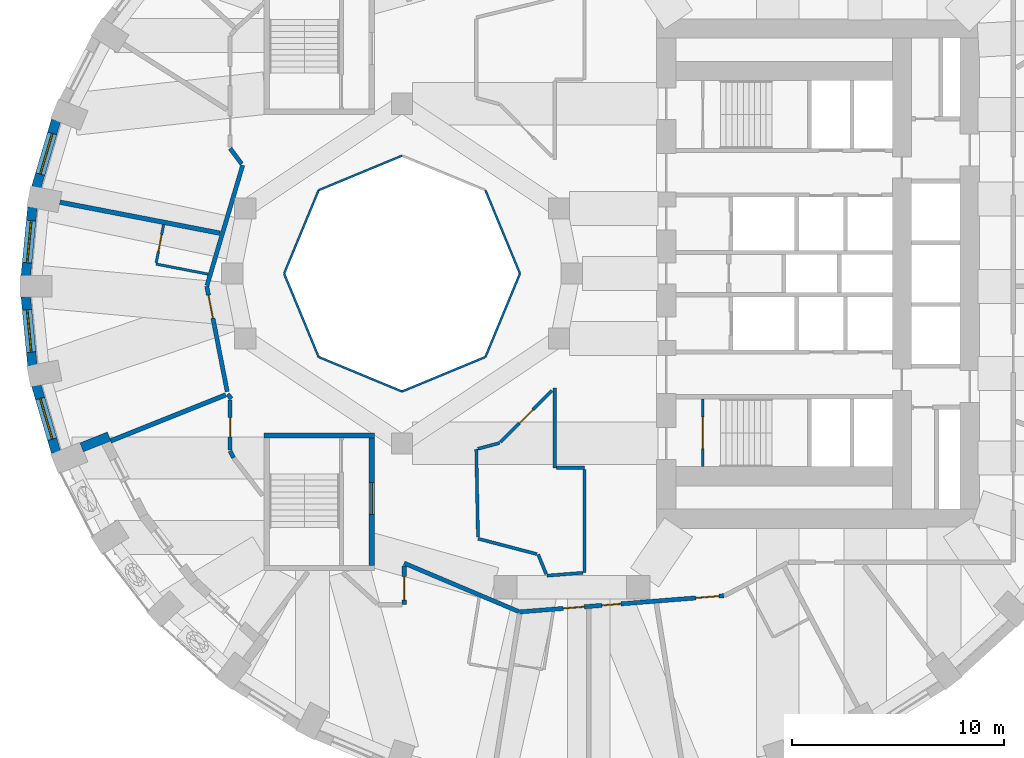
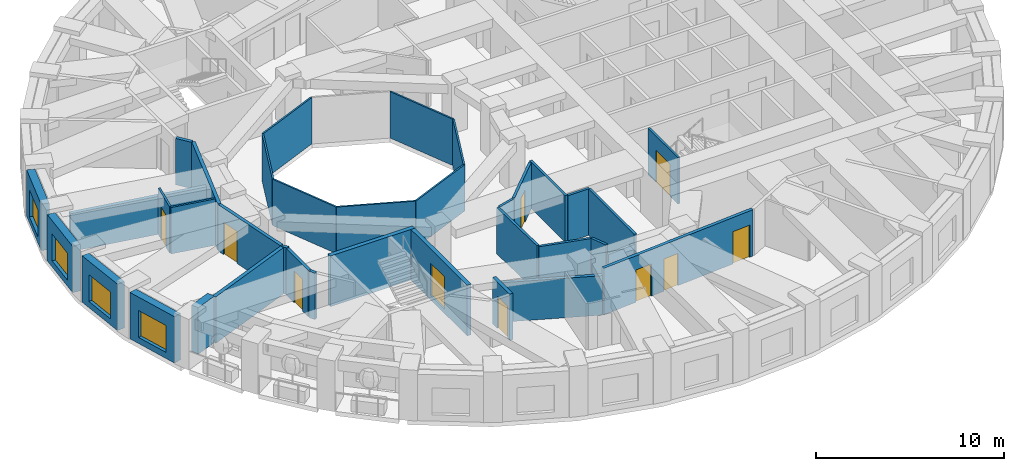
# One storey, part 4 of 12: 37 walls, 10 doors, 4 windows, 14 openings.
"""IFC4 building model written with IfcOpenShell, lengths in metres."""

from ifc_helpers import new_model, si_unit, direction, frame, frame_2d, origin, place, context, subcontext, project, spatial, rectangle, extrude, material, layer, layer_set, type_object, element, fill, save


model = new_model("IFC4")

# Units and contexts
model_context = context("Model", 3, precision=1e-05, world=origin(), true_north=direction((0.0, 1.0)))
body_context = subcontext(model_context, "Body", "Model", "MODEL_VIEW")
ifc_project = project(units=[si_unit("LENGTHUNIT", "METRE"), si_unit("AREAUNIT", "SQUARE_METRE"), si_unit("VOLUMEUNIT", "CUBIC_METRE"), si_unit("PLANEANGLEUNIT", "RADIAN"), si_unit("MASSUNIT", "GRAM", prefix="KILO")], contexts=[model_context])

# Site, building, storey
site_placement = place(None, origin())
site = spatial("IfcSite", under=ifc_project, at=site_placement, CompositionType="ELEMENT")
building_placement = place(site_placement, origin())
building = spatial("IfcBuilding", under=site, at=building_placement, Name="Taillehof Tower", CompositionType="ELEMENT")
storey_placement = place(building_placement, frame((0.0, 0.0, 95.5)))
storey = spatial("IfcBuildingStorey", under=building, at=storey_placement, Name="L26", CompositionType="ELEMENT", Elevation=95.5)

# Walls
ifc_material_1 = material(Name="Fire-resisting glass in steel frame", Category="steel")
ifc_layer_1 = layer(ifc_material_1, 0.10009765625)
ifc_layer_set_1 = layer_set([ifc_layer_1], Name="Atrium fire-resisting screen EI 60 100")
wall_type_1 = type_object("IfcWallType", Name="Atrium fire-resisting screen EI 60 100", PredefinedType="PARTITIONING", material=ifc_layer_set_1)
for number, where, z_axis, x_axis, name in (
    (1, (-2.44580078125, 0.0, 0.0), (0.0, 0.0, 1.0), (-0.382730523909, -0.923860025149, 0.0), "Atrium screen"),
    (2, (-4.07275390625, -3.92724609375, 0.0), (0.0, 0.0, 1.0), (-0.923860025149, -0.382730523909, 0.0), "Atrium screen"),
    (3, (-8.0, -5.55419921875, 0.0), (0.0, 0.0, 1.0), (-0.923860025149, 0.382730523909, 0.0), "Atrium screen"),
    (4, (-11.92724609375, -3.92724609375, 0.0), (0.0, 0.0, 1.0), (-0.382730523909, 0.923860025149, 0.0), "Atrium screen"),
    (5, (-13.55419921875, 0.0, 0.0), (0.0, 0.0, 1.0), (0.382730523909, 0.923860025149, 0.0), "Atrium screen"),
    (6, (-11.92724609375, 3.92724609375, 0.0), (0.0, 0.0, 1.0), (0.923860025149, 0.382730523909, 0.0), "Atrium screen"),
    (7, (-4.07275390625, 3.92724609375, 0.0), (0.0, 0.0, 1.0), (0.382730523909, -0.923860025149, 0.0), "Atrium screen"),
):
    element("IfcWall", number, at=place(storey_placement, frame(where, z_axis=z_axis, x_axis=x_axis)), inside=storey, type_object=wall_type_1, Name=name, PredefinedType="PARTITIONING", context=body_context, shape_type="SweptSolid", body=[
        extrude(rectangle(XDim=4.2509765625, YDim=0.10009765625, at=frame_2d((2.12548828125, 0.0))), origin(), (0.0, 0.0, 1.0), 3.02001953125),
    ])

# Wall, opening, window
ifc_material_2 = material(Name="Brick masonry", Category="masonry")
ifc_layer_2 = layer(ifc_material_2, 0.449951171875)
ifc_layer_set_2 = layer_set([ifc_layer_2], Name="Brick infill wall 450")
wall_type_2 = type_object("IfcWallType", Name="Brick infill wall 450", PredefinedType="SOLIDWALL", material=ifc_layer_set_2)
wall_1_placement = place(storey_placement, frame((-24.302001953125, 7.220703125, 0.0), z_axis=(0.0, 0.0, 1.0), x_axis=(-0.283071248438, -0.959098883488, 0.0)))
wall_1 = element("IfcWall", 8, at=wall_1_placement, inside=storey, type_object=wall_type_2, Name="Brick wall L26 bay 17", PredefinedType="SOLIDWALL", context=body_context, shape_type="SweptSolid", body=[
    extrude(rectangle(XDim=3.2861328125, YDim=0.449951171875, at=frame_2d((1.64306640625, 0.0))), origin(), (0.0, 0.0, 1.0), 3.02001953125),
])
opening_1_placement = place(wall_1_placement, frame((0.64306640625, 0.0, 0.39990234375)))
opening_1 = element("IfcOpeningElement", 9, at=opening_1_placement, cuts=wall_1, Name="Opening W2", PredefinedType="OPENING", context=body_context, shape_type="SweptSolid", body=[
    extrude(rectangle(XDim=2.0, YDim=1.75, at=frame_2d((1.0, 0.875))), frame((0.0, 0.23486328125, 0.0), z_axis=(0.0, -1.0, 0.0), x_axis=(1.0, 0.0, 0.0)), (0.0, 0.0, 1.0), 0.469970703125),
])
ifc_material_3 = material(Name="Aluminium window frame with clear double glazing", Category="aluminium")
window_type = type_object("IfcWindowType", Name="Deep-set window 2000x1750", PartitioningType="SINGLE_PANEL", PredefinedType="WINDOW", material=ifc_material_3)
window_1_placement = place(opening_1_placement, origin())
window_1 = element("IfcWindow", 10, at=window_1_placement, inside=storey, type_object=window_type, Name="W2", OverallHeight=1.75, OverallWidth=2.0, PartitioningType="SINGLE_PANEL", PredefinedType="WINDOW", context=body_context, shape_type="SweptSolid", body=[
    extrude(rectangle(XDim=2.0, YDim=1.75, at=frame_2d((1.0, 0.875))), frame((0.0, 0.034912109375, 0.0), z_axis=(0.0, -1.0, 0.0), x_axis=(1.0, 0.0, 0.0)), (0.0, 0.0, 1.0), 0.06005859375),
])
fill(opening_1, window_1)

wall_2_placement = place(storey_placement, frame((-25.414794921875, 3.12646484375, 0.0), z_axis=(0.0, 0.0, 1.0), x_axis=(-0.095967726544, -0.995384446062, 0.0)))
wall_2 = element("IfcWall", 11, at=wall_2_placement, inside=storey, type_object=wall_type_2, Name="Brick wall L26 bay 18", PredefinedType="SOLIDWALL", context=body_context, shape_type="SweptSolid", body=[
    extrude(rectangle(XDim=3.261474609375, YDim=0.449951171875, at=frame_2d((1.630859375, 0.0))), origin(), (0.0, 0.0, 1.0), 3.02001953125),
])
opening_2_placement = place(wall_2_placement, frame((0.630615234375, 0.0, 0.39990234375)))
opening_2 = element("IfcOpeningElement", 12, at=opening_2_placement, cuts=wall_2, Name="Opening W2", PredefinedType="OPENING", context=body_context, shape_type="SweptSolid", body=[
    extrude(rectangle(XDim=2.0, YDim=1.75, at=frame_2d((1.0, 0.875))), frame((0.0, 0.23486328125, 0.0), z_axis=(0.0, -1.0, 0.0), x_axis=(1.0, 0.0, 0.0)), (0.0, 0.0, 1.0), 0.469970703125),
])
window_2_placement = place(opening_2_placement, origin())
window_2 = element("IfcWindow", 13, at=window_2_placement, inside=storey, type_object=window_type, Name="W2", OverallHeight=1.75, OverallWidth=2.0, PartitioningType="SINGLE_PANEL", PredefinedType="WINDOW", context=body_context, shape_type="SweptSolid", body=[
    extrude(rectangle(XDim=2.0, YDim=1.75, at=frame_2d((1.0, 0.875))), frame((0.0, 0.034912109375, 0.0), z_axis=(0.0, -1.0, 0.0), x_axis=(1.0, 0.0, 0.0)), (0.0, 0.0, 1.0), 0.06005859375),
])
fill(opening_2, window_2)

wall_3_placement = place(storey_placement, frame((-25.727783203125, -1.080078125, 0.0), z_axis=(0.0, 0.0, 1.0), x_axis=(0.095967726544, -0.995384446062, 0.0)))
wall_3 = element("IfcWall", 14, at=wall_3_placement, inside=storey, type_object=wall_type_2, Name="Brick wall L26 bay 19", PredefinedType="SOLIDWALL", context=body_context, shape_type="SweptSolid", body=[
    extrude(rectangle(XDim=3.261474609375, YDim=0.449951171875, at=frame_2d((1.630859375, 0.0))), origin(), (0.0, 0.0, 1.0), 3.02001953125),
])
opening_3_placement = place(wall_3_placement, frame((0.630615234375, 0.0, 0.39990234375)))
opening_3 = element("IfcOpeningElement", 15, at=opening_3_placement, cuts=wall_3, Name="Opening W2", PredefinedType="OPENING", context=body_context, shape_type="SweptSolid", body=[
    extrude(rectangle(XDim=2.0, YDim=1.75, at=frame_2d((1.0, 0.875))), frame((0.0, 0.23486328125, 0.0), z_axis=(0.0, -1.0, 0.0), x_axis=(1.0, 0.0, 0.0)), (0.0, 0.0, 1.0), 0.469970703125),
])
window_3_placement = place(opening_3_placement, origin())
window_3 = element("IfcWindow", 16, at=window_3_placement, inside=storey, type_object=window_type, Name="W2", OverallHeight=1.75, OverallWidth=2.0, PartitioningType="SINGLE_PANEL", PredefinedType="WINDOW", context=body_context, shape_type="SweptSolid", body=[
    extrude(rectangle(XDim=2.0, YDim=1.75, at=frame_2d((1.0, 0.875))), frame((0.0, 0.034912109375, 0.0), z_axis=(0.0, -1.0, 0.0), x_axis=(1.0, 0.0, 0.0)), (0.0, 0.0, 1.0), 0.06005859375),
])
fill(opening_3, window_3)

wall_4_placement = place(storey_placement, frame((-25.232177734375, -5.26904296875, 0.0), z_axis=(0.0, 0.0, 1.0), x_axis=(0.283051078697, -0.959104836214, 0.0)))
wall_4 = element("IfcWall", 17, at=wall_4_placement, inside=storey, type_object=wall_type_2, Name="Brick wall L26 bay 20", PredefinedType="SOLIDWALL", context=body_context, shape_type="SweptSolid", body=[
    extrude(rectangle(XDim=3.2861328125, YDim=0.449951171875, at=frame_2d((1.64306640625, 0.0))), origin(), (0.0, 0.0, 1.0), 3.02001953125),
])
opening_4_placement = place(wall_4_placement, frame((0.64306640625, 0.0, 0.39990234375)))
opening_4 = element("IfcOpeningElement", 18, at=opening_4_placement, cuts=wall_4, Name="Opening W2", PredefinedType="OPENING", context=body_context, shape_type="SweptSolid", body=[
    extrude(rectangle(XDim=2.0, YDim=1.75, at=frame_2d((1.0, 0.875))), frame((0.0, 0.23486328125, 0.0), z_axis=(0.0, -1.0, 0.0), x_axis=(1.0, 0.0, 0.0)), (0.0, 0.0, 1.0), 0.469970703125),
])
window_4_placement = place(opening_4_placement, origin())
window_4 = element("IfcWindow", 19, at=window_4_placement, inside=storey, type_object=window_type, Name="W2", OverallHeight=1.75, OverallWidth=2.0, PartitioningType="SINGLE_PANEL", PredefinedType="WINDOW", context=body_context, shape_type="SweptSolid", body=[
    extrude(rectangle(XDim=2.0, YDim=1.75, at=frame_2d((1.0, 0.875))), frame((0.0, 0.034912109375, 0.0), z_axis=(0.0, -1.0, 0.0), x_axis=(1.0, 0.0, 0.0)), (0.0, 0.0, 1.0), 0.06005859375),
])
fill(opening_4, window_4)

# Walls
wall_5_placement = place(storey_placement, frame((-23.09326171875, -8.18701171875, 0.0), z_axis=(0.0, 0.0, 1.0), x_axis=(0.928549333349, 0.371209018665, 0.0)))
element("IfcWall", 20, at=wall_5_placement, inside=storey, type_object=wall_type_2, Name="Brick reveal L26 pocket 6", PredefinedType="SOLIDWALL", context=body_context, shape_type="SweptSolid", body=[
    extrude(rectangle(XDim=1.390380859375, YDim=0.449951171875, at=frame_2d((0.6953125, 0.0))), origin(), (0.0, 0.0, 1.0), 3.02001953125),
])
ifc_material_4 = material(Name="Gypsum board on steel studs, two layers each side", Category="steel")
ifc_layer_3 = layer(ifc_material_4, 0.199951171875)
ifc_layer_set_3 = layer_set([ifc_layer_3], Name="Compartment wall corridor 200")
wall_type_3 = type_object("IfcWallType", Name="Compartment wall corridor 200", PredefinedType="PARTITIONING", material=ifc_layer_set_3)
wall_6_placement = place(storey_placement, frame((-15.937744140625, -8.67626953125, 0.0), z_axis=(0.0, 0.0, 1.0), x_axis=(-0.456525695549, 0.889710227717, 0.0)))
element("IfcWall", 21, at=wall_6_placement, inside=storey, type_object=wall_type_3, Name="Compartment wall", PredefinedType="PARTITIONING", context=body_context, shape_type="SweptSolid", body=[
    extrude(rectangle(XDim=0.355712890625, YDim=0.199951171875, at=frame_2d((0.177734375, 0.0))), origin(), (0.0, 0.0, 1.0), 3.02001953125),
])

# Wall, opening, door
wall_7_placement = place(storey_placement, frame((-16.10009765625, -8.31982421875, 0.0), z_axis=(0.0, 0.0, 1.0), x_axis=(0.0, 1.0, 0.0)))
wall_7 = element("IfcWall", 22, at=wall_7_placement, inside=storey, type_object=wall_type_3, Name="Compartment wall", PredefinedType="PARTITIONING", context=body_context, shape_type="SweptSolid", body=[
    extrude(rectangle(XDim=2.35986328125, YDim=0.199951171875, at=frame_2d((1.179931640625, 0.0))), origin(), (0.0, 0.0, 1.0), 3.02001953125),
])
opening_5_placement = place(wall_7_placement, frame((0.6279296875, 0.0, 0.0)))
opening_5 = element("IfcOpeningElement", 23, at=opening_5_placement, cuts=wall_7, Name="Opening D2652", PredefinedType="OPENING", context=body_context, shape_type="SweptSolid", body=[
    extrude(rectangle(XDim=0.89990234375, YDim=2.10009765625, at=frame_2d((0.449951171875, 1.050048828125))), frame((0.0, 0.10986328125, 0.0), z_axis=(0.0, -1.0, 0.0), x_axis=(1.0, 0.0, 0.0)), (0.0, 0.0, 1.0), 0.219970703125),
])
ifc_material_5 = material(Name="Timber door leaf in steel frame", Category="steel")
door_type_1 = type_object("IfcDoorType", Name="Service room door EI 30 900 x 2100", OperationType="SINGLE_SWING_LEFT", PredefinedType="DOOR", material=ifc_material_5)
door_1_placement = place(opening_5_placement, origin())
door_1 = element("IfcDoor", 24, at=door_1_placement, inside=storey, type_object=door_type_1, Name="D2652", OperationType="SINGLE_SWING_RIGHT", OverallHeight=2.10009765625, OverallWidth=0.89990234375, PredefinedType="DOOR", context=body_context, shape_type="SweptSolid", body=[
    extrude(rectangle(XDim=0.89990234375, YDim=2.10009765625, at=frame_2d((0.449951171875, 1.050048828125))), frame((0.0, 0.02490234375, 0.0), z_axis=(0.0, -1.0, 0.0), x_axis=(1.0, 0.0, 0.0)), (0.0, 0.0, 1.0), 0.050048828125),
])
fill(opening_5, door_1)

# Wall
wall_8_placement = place(storey_placement, frame((-16.041015625, -5.89990234375, 0.0), z_axis=(0.0, 0.0, 1.0), x_axis=(-0.612489897904, 0.790478415243, 0.0)))
element("IfcWall", 25, at=wall_8_placement, inside=storey, type_object=wall_type_3, Name="Compartment wall", PredefinedType="PARTITIONING", context=body_context, shape_type="SweptSolid", body=[
    extrude(rectangle(XDim=0.27978515625, YDim=0.199951171875, at=frame_2d((0.139892578125, 0.0))), origin(), (0.0, 0.0, 1.0), 3.02001953125),
])

# Wall, opening, door
wall_9_placement = place(storey_placement, frame((-16.23583984375, -5.5615234375, 0.0), z_axis=(0.0, 0.0, 1.0), x_axis=(-0.190753296708, 0.981638008532, 0.0)))
wall_9 = element("IfcWall", 26, at=wall_9_placement, inside=storey, type_object=wall_type_3, Name="Compartment wall", PredefinedType="PARTITIONING", context=body_context, shape_type="SweptSolid", body=[
    extrude(rectangle(XDim=5.05419921875, YDim=0.199951171875, at=frame_2d((2.527099609375, 0.0))), origin(), (0.0, 0.0, 1.0), 3.02001953125),
])
opening_6_placement = place(wall_9_placement, frame((3.527587890625, 0.0, 0.0)))
opening_6 = element("IfcOpeningElement", 27, at=opening_6_placement, cuts=wall_9, Name="Opening D2650", PredefinedType="OPENING", context=body_context, shape_type="SweptSolid", body=[
    extrude(rectangle(XDim=1.10009765625, YDim=2.10009765625, at=frame_2d((0.550048828125, 1.050048828125))), frame((0.0, 0.10986328125, 0.0), z_axis=(0.0, -1.0, 0.0), x_axis=(1.0, 0.0, 0.0)), (0.0, 0.0, 1.0), 0.219970703125),
])
ifc_material_6 = material(Name="Timber door leaf in steel frame", Category="steel")
door_type_2 = type_object("IfcDoorType", Name="Suite entrance door EI 30 1100 x 2100", OperationType="SINGLE_SWING_LEFT", PredefinedType="DOOR", material=ifc_material_6)
door_2_placement = place(opening_6_placement, origin())
door_2 = element("IfcDoor", 28, at=door_2_placement, inside=storey, type_object=door_type_2, Name="D2650", OperationType="SINGLE_SWING_RIGHT", OverallHeight=2.10009765625, OverallWidth=1.10009765625, PredefinedType="DOOR", context=body_context, shape_type="SweptSolid", body=[
    extrude(rectangle(XDim=1.10009765625, YDim=2.10009765625, at=frame_2d((0.550048828125, 1.050048828125))), frame((0.0, 0.02490234375, 0.0), z_axis=(0.0, -1.0, 0.0), x_axis=(1.0, 0.0, 0.0)), (0.0, 0.0, 1.0), 0.050048828125),
])
fill(opening_6, door_2)

# Walls
wall_10_placement = place(storey_placement, frame((-17.188720703125, -0.5615234375, 0.0), z_axis=(0.0, 0.0, 1.0), x_axis=(0.28454253649, 0.95866341587, 0.0)))
element("IfcWall", 29, at=wall_10_placement, inside=storey, type_object=wall_type_3, Name="Compartment wall", PredefinedType="PARTITIONING", context=body_context, shape_type="SweptSolid", body=[
    extrude(rectangle(XDim=5.910888671875, YDim=0.199951171875, at=frame_2d((2.95556640625, 0.0))), origin(), (0.0, 0.0, 1.0), 3.02001953125),
])
wall_11_placement = place(storey_placement, frame((-15.5546875, 5.16943359375, 0.0), z_axis=(0.0, 0.0, 1.0), x_axis=(-0.598284647233, 0.801283645712, 0.0)))
element("IfcWall", 30, at=wall_11_placement, inside=storey, type_object=wall_type_3, Name="Compartment wall", PredefinedType="PARTITIONING", context=body_context, shape_type="SweptSolid", body=[
    extrude(rectangle(XDim=0.91162109375, YDim=0.199951171875, at=frame_2d((0.455810546875, 0.0))), origin(), (0.0, 0.0, 1.0), 3.02001953125),
])

# Wall, openings, doors
wall_12_placement = place(storey_placement, frame((7.157958984375, -15.17822265625, 0.0), z_axis=(0.0, 0.0, 1.0), x_axis=(-0.996871915552, -0.0790340685, 0.0)))
wall_12 = element("IfcWall", 31, at=wall_12_placement, inside=storey, type_object=wall_type_3, Name="Compartment wall", PredefinedType="PARTITIONING", context=body_context, shape_type="SweptSolid", body=[
    extrude(rectangle(XDim=9.647216796875, YDim=0.199951171875, at=frame_2d((4.82373046875, 0.0))), origin(), (0.0, 0.0, 1.0), 3.02001953125),
])
opening_7_placement = place(wall_12_placement, frame((6.587890625, 0.0, 0.0)))
opening_7 = element("IfcOpeningElement", 32, at=opening_7_placement, cuts=wall_12, Name="Opening D2655", PredefinedType="OPENING", context=body_context, shape_type="SweptSolid", body=[
    extrude(rectangle(XDim=1.0, YDim=2.10009765625, at=frame_2d((0.5, 1.050048828125))), frame((0.0, 0.10986328125, 0.0), z_axis=(0.0, -1.0, 0.0), x_axis=(1.0, 0.0, 0.0)), (0.0, 0.0, 1.0), 0.219970703125),
])
opening_8_placement = place(wall_12_placement, frame((4.85546875, 0.0, 0.0)))
opening_8 = element("IfcOpeningElement", 33, at=opening_8_placement, cuts=wall_12, Name="Opening D2657", PredefinedType="OPENING", context=body_context, shape_type="SweptSolid", body=[
    extrude(rectangle(XDim=0.89990234375, YDim=2.10009765625, at=frame_2d((0.449951171875, 1.050048828125))), frame((0.0, 0.10986328125, 0.0), z_axis=(0.0, -1.0, 0.0), x_axis=(1.0, 0.0, 0.0)), (0.0, 0.0, 1.0), 0.219970703125),
])
opening_9_placement = place(wall_12_placement, frame((0.219970703125, 0.0, 0.0)))
opening_9 = element("IfcOpeningElement", 34, at=opening_9_placement, cuts=wall_12, Name="Opening D2658", PredefinedType="OPENING", context=body_context, shape_type="SweptSolid", body=[
    extrude(rectangle(XDim=1.10009765625, YDim=2.10009765625, at=frame_2d((0.550048828125, 1.050048828125))), frame((0.0, 0.10986328125, 0.0), z_axis=(0.0, -1.0, 0.0), x_axis=(1.0, 0.0, 0.0)), (0.0, 0.0, 1.0), 0.219970703125),
])
ifc_material_7 = material(Name="Timber door leaf in steel frame", Category="steel")
door_type_3 = type_object("IfcDoorType", Name="Guest room door EI 30 1000 x 2100", OperationType="SINGLE_SWING_LEFT", PredefinedType="DOOR", material=ifc_material_7)
door_3_placement = place(opening_7_placement, origin())
door_3 = element("IfcDoor", 35, at=door_3_placement, inside=storey, type_object=door_type_3, Name="D2655", OperationType="SINGLE_SWING_LEFT", OverallHeight=2.10009765625, OverallWidth=1.0, PredefinedType="DOOR", context=body_context, shape_type="SweptSolid", body=[
    extrude(rectangle(XDim=1.0, YDim=2.10009765625, at=frame_2d((0.5, 1.050048828125))), frame((0.0, 0.02490234375, 0.0), z_axis=(0.0, -1.0, 0.0), x_axis=(1.0, 0.0, 0.0)), (0.0, 0.0, 1.0), 0.050048828125),
])
fill(opening_7, door_3)
door_4_placement = place(opening_8_placement, origin())
door_4 = element("IfcDoor", 36, at=door_4_placement, inside=storey, type_object=door_type_1, Name="D2657", OperationType="SINGLE_SWING_RIGHT", OverallHeight=2.10009765625, OverallWidth=0.89990234375, PredefinedType="DOOR", context=body_context, shape_type="SweptSolid", body=[
    extrude(rectangle(XDim=0.89990234375, YDim=2.10009765625, at=frame_2d((0.449951171875, 1.050048828125))), frame((0.0, 0.02490234375, 0.0), z_axis=(0.0, -1.0, 0.0), x_axis=(1.0, 0.0, 0.0)), (0.0, 0.0, 1.0), 0.050048828125),
])
fill(opening_8, door_4)
door_5_placement = place(opening_9_placement, origin())
door_5 = element("IfcDoor", 37, at=door_5_placement, inside=storey, type_object=door_type_2, Name="D2658", OperationType="SINGLE_SWING_RIGHT", OverallHeight=2.10009765625, OverallWidth=1.10009765625, PredefinedType="DOOR", context=body_context, shape_type="SweptSolid", body=[
    extrude(rectangle(XDim=1.10009765625, YDim=2.10009765625, at=frame_2d((0.550048828125, 1.050048828125))), frame((0.0, 0.02490234375, 0.0), z_axis=(0.0, -1.0, 0.0), x_axis=(1.0, 0.0, 0.0)), (0.0, 0.0, 1.0), 0.050048828125),
])
fill(opening_9, door_5)

# Wall
wall_13_placement = place(storey_placement, frame((-2.49560546875, -15.925048828125, 0.0), z_axis=(0.0, 0.0, 1.0), x_axis=(-0.921239287596, 0.388996368864, 0.0)))
element("IfcWall", 38, at=wall_13_placement, inside=storey, type_object=wall_type_3, Name="Compartment wall", PredefinedType="PARTITIONING", context=body_context, shape_type="SweptSolid", body=[
    extrude(rectangle(XDim=5.866455078125, YDim=0.199951171875, at=frame_2d((2.93310546875, 0.0))), origin(), (0.0, 0.0, 1.0), 2.570068359375),
])

# Wall, opening, door
wall_14_placement = place(storey_placement, frame((-7.89990234375, -13.783203125, 0.0), z_axis=(0.0, 0.0, 1.0), x_axis=(0.0, -1.0, 0.0)))
wall_14 = element("IfcWall", 39, at=wall_14_placement, inside=storey, type_object=wall_type_3, Name="Compartment wall", PredefinedType="PARTITIONING", context=body_context, shape_type="SweptSolid", body=[
    extrude(rectangle(XDim=1.81689453125, YDim=0.199951171875, at=frame_2d((0.908447265625, 0.0))), origin(), (0.0, 0.0, 1.0), 3.02001953125),
])
opening_10_placement = place(wall_14_placement, frame((0.496826171875, 0.0, 0.0)))
opening_10 = element("IfcOpeningElement", 40, at=opening_10_placement, cuts=wall_14, Name="Opening D2653", PredefinedType="OPENING", context=body_context, shape_type="SweptSolid", body=[
    extrude(rectangle(XDim=1.10009765625, YDim=2.10009765625, at=frame_2d((0.550048828125, 1.050048828125))), frame((0.0, 0.10986328125, 0.0), z_axis=(0.0, -1.0, 0.0), x_axis=(1.0, 0.0, 0.0)), (0.0, 0.0, 1.0), 0.219970703125),
])
door_6_placement = place(opening_10_placement, origin())
door_6 = element("IfcDoor", 41, at=door_6_placement, inside=storey, type_object=door_type_2, Name="D2653", OperationType="SINGLE_SWING_LEFT", OverallHeight=2.10009765625, OverallWidth=1.10009765625, PredefinedType="DOOR", context=body_context, shape_type="SweptSolid", body=[
    extrude(rectangle(XDim=1.10009765625, YDim=2.10009765625, at=frame_2d((0.550048828125, 1.050048828125))), frame((0.0, 0.02490234375, 0.0), z_axis=(0.0, -1.0, 0.0), x_axis=(1.0, 0.0, 0.0)), (0.0, 0.0, 1.0), 0.050048828125),
])
fill(opening_10, door_6)

# Walls
ifc_material_8 = material(Name="Gypsum board on double steel studs with mineral wool", Category="steel")
ifc_layer_4 = layer(ifc_material_8, 0.219970703125)
ifc_layer_set_4 = layer_set([ifc_layer_4], Name="Compartment wall guest room 220")
wall_type_4 = type_object("IfcWallType", Name="Compartment wall guest room 220", PredefinedType="PARTITIONING", material=ifc_layer_set_4)
wall_15_placement = place(storey_placement, frame((-24.117919921875, 3.3642578125, 0.0), z_axis=(0.0, 0.0, 1.0), x_axis=(0.981759939745, -0.19012475039, 0.0)))
element("IfcWall", 42, at=wall_15_placement, inside=storey, type_object=wall_type_4, Name="Compartment wall", PredefinedType="PARTITIONING", context=body_context, shape_type="SweptSolid", body=[
    extrude(rectangle(XDim=7.676513671875, YDim=0.219970703125, at=frame_2d((3.83837890625, 0.0))), origin(), (0.0, 0.0, 1.0), 2.469970703125),
])
wall_16_placement = place(storey_placement, frame((-21.735595703125, -7.88671875, 0.0), z_axis=(0.0, 0.0, 1.0), x_axis=(0.928522746632, 0.371275516277, 0.0)))
element("IfcWall", 43, at=wall_16_placement, inside=storey, type_object=wall_type_4, Name="Compartment wall", PredefinedType="PARTITIONING", context=body_context, shape_type="SweptSolid", body=[
    extrude(rectangle(XDim=5.848388671875, YDim=0.219970703125, at=frame_2d((2.92431640625, 0.0))), origin(), (0.0, 0.0, 1.0), 3.02001953125),
])
ifc_material_9 = material(Name="Gypsum board on steel studs, two layers each side", Category="steel")
ifc_layer_5 = layer(ifc_material_9, 0.14990234375)
ifc_layer_set_5 = layer_set([ifc_layer_5], Name="Compartment wall service room 150")
wall_type_5 = type_object("IfcWallType", Name="Compartment wall service room 150", PredefinedType="PARTITIONING", material=ifc_layer_set_5)
wall_17_placement = place(storey_placement, frame((-0.800048828125, -5.386474609375, 0.0), z_axis=(0.0, 0.0, 1.0), x_axis=(0.0, -1.0, 0.0)))
element("IfcWall", 44, at=wall_17_placement, inside=storey, type_object=wall_type_5, Name="Compartment wall", PredefinedType="PARTITIONING", context=body_context, shape_type="SweptSolid", body=[
    extrude(rectangle(XDim=3.763427734375, YDim=0.14990234375, at=frame_2d((1.8818359375, 0.0))), origin(), (0.0, 0.0, 1.0), 3.02001953125),
])
wall_18_placement = place(storey_placement, frame((-0.719970703125, -9.14990234375, 0.0), z_axis=(0.0, 0.0, 1.0), x_axis=(1.0, 0.0, 0.0)))
element("IfcWall", 45, at=wall_18_placement, inside=storey, type_object=wall_type_5, Name="Compartment wall", PredefinedType="PARTITIONING", context=body_context, shape_type="SweptSolid", body=[
    extrude(rectangle(XDim=1.320068359375, YDim=0.14990234375, at=frame_2d((0.66015625, 0.0))), origin(), (0.0, 0.0, 1.0), 3.02001953125),
])
wall_19_placement = place(storey_placement, frame((0.60009765625, -9.22998046875, 0.0), z_axis=(0.0, 0.0, 1.0), x_axis=(0.0, -1.0, 0.0)))
element("IfcWall", 46, at=wall_19_placement, inside=storey, type_object=wall_type_5, Name="Compartment wall", PredefinedType="PARTITIONING", context=body_context, shape_type="SweptSolid", body=[
    extrude(rectangle(XDim=4.863037109375, YDim=0.14990234375, at=frame_2d((2.431640625, 0.0))), origin(), (0.0, 0.0, 1.0), 3.02001953125),
])
wall_20_placement = place(storey_placement, frame((0.52001953125, -14.098876953125, 0.0), z_axis=(0.0, 0.0, 1.0), x_axis=(-0.99684577893, -0.079363045745, 0.0)))
element("IfcWall", 47, at=wall_20_placement, inside=storey, type_object=wall_type_5, Name="Compartment wall", PredefinedType="PARTITIONING", context=body_context, shape_type="SweptSolid", body=[
    extrude(rectangle(XDim=1.701171875, YDim=0.14990234375, at=frame_2d((0.8505859375, 0.0))), origin(), (0.0, 0.0, 1.0), 2.419921875),
])
wall_21_placement = place(storey_placement, frame((-1.2060546875, -14.15966796875, 0.0), z_axis=(0.0, 0.0, 1.0), x_axis=(-0.378813066595, 0.925473209, 0.0)))
element("IfcWall", 48, at=wall_21_placement, inside=storey, type_object=wall_type_5, Name="Compartment wall", PredefinedType="PARTITIONING", context=body_context, shape_type="SweptSolid", body=[
    extrude(rectangle(XDim=1.002197265625, YDim=0.14990234375, at=frame_2d((0.5009765625, 0.0))), origin(), (0.0, 0.0, 1.0), 3.02001953125),
])
wall_22_placement = place(storey_placement, frame((-1.6435546875, -13.216796875, 0.0), z_axis=(0.0, 0.0, 1.0), x_axis=(-0.967446197993, 0.253076774891, 0.0)))
element("IfcWall", 49, at=wall_22_placement, inside=storey, type_object=wall_type_5, Name="Compartment wall", PredefinedType="PARTITIONING", context=body_context, shape_type="SweptSolid", body=[
    extrude(rectangle(XDim=2.867919921875, YDim=0.14990234375, at=frame_2d((1.43408203125, 0.0))), origin(), (0.0, 0.0, 1.0), 3.02001953125),
])
wall_23_placement = place(storey_placement, frame((-4.420166015625, -12.410888671875, 0.0), z_axis=(0.0, 0.0, 1.0), x_axis=(-0.01930438501, 0.999813652997, 0.0)))
element("IfcWall", 50, at=wall_23_placement, inside=storey, type_object=wall_type_5, Name="Compartment wall", PredefinedType="PARTITIONING", context=body_context, shape_type="SweptSolid", body=[
    extrude(rectangle(XDim=4.135498046875, YDim=0.14990234375, at=frame_2d((2.06787109375, 0.0))), origin(), (0.0, 0.0, 1.0), 3.02001953125),
])
wall_24_placement = place(storey_placement, frame((-4.4228515625, -8.255615234375, 0.0), z_axis=(0.0, 0.0, 1.0), x_axis=(0.965880568435, 0.258987890683, 0.0)))
element("IfcWall", 51, at=wall_24_placement, inside=storey, type_object=wall_type_5, Name="Compartment wall", PredefinedType="PARTITIONING", context=body_context, shape_type="SweptSolid", body=[
    extrude(rectangle(XDim=1.066162109375, YDim=0.14990234375, at=frame_2d((0.533203125, 0.0))), origin(), (0.0, 0.0, 1.0), 3.02001953125),
])

# Wall, opening, door
wall_25_placement = place(storey_placement, frame((-3.36474609375, -7.951171875, 0.0), z_axis=(0.0, 0.0, 1.0), x_axis=(0.707106781187, 0.707106781187, 0.0)))
wall_25 = element("IfcWall", 52, at=wall_25_placement, inside=storey, type_object=wall_type_5, Name="Compartment wall", PredefinedType="PARTITIONING", context=body_context, shape_type="SweptSolid", body=[
    extrude(rectangle(XDim=3.44677734375, YDim=0.14990234375, at=frame_2d((1.723388671875, 0.0))), origin(), (0.0, 0.0, 1.0), 3.02001953125),
])
opening_11_placement = place(wall_25_placement, frame((1.2734375, 0.0, 0.0)))
opening_11 = element("IfcOpeningElement", 53, at=opening_11_placement, cuts=wall_25, Name="Opening D2666", PredefinedType="OPENING", context=body_context, shape_type="SweptSolid", body=[
    extrude(rectangle(XDim=0.89990234375, YDim=2.10009765625, at=frame_2d((0.449951171875, 1.050048828125))), frame((0.0, 0.0849609375, 0.0), z_axis=(0.0, -1.0, 0.0), x_axis=(1.0, 0.0, 0.0)), (0.0, 0.0, 1.0), 0.169921875),
])
door_7_placement = place(opening_11_placement, origin())
door_7 = element("IfcDoor", 54, at=door_7_placement, inside=storey, type_object=door_type_1, Name="D2666", OperationType="SINGLE_SWING_LEFT", OverallHeight=2.10009765625, OverallWidth=0.89990234375, PredefinedType="DOOR", context=body_context, shape_type="SweptSolid", body=[
    extrude(rectangle(XDim=0.89990234375, YDim=2.10009765625, at=frame_2d((0.449951171875, 1.050048828125))), frame((0.0, 0.02490234375, 0.0), z_axis=(0.0, -1.0, 0.0), x_axis=(1.0, 0.0, 0.0)), (0.0, 0.0, 1.0), 0.050048828125),
])
fill(opening_11, door_7)

# Wall
ifc_material_10 = material(Name="Gypsum board on steel studs, moisture resistant", Category="steel")
ifc_layer_6 = layer(ifc_material_10, 0.1201171875)
ifc_layer_set_6 = layer_set([ifc_layer_6], Name="En-suite wall 120")
wall_type_6 = type_object("IfcWallType", Name="En-suite wall 120", PredefinedType="PARTITIONING", material=ifc_layer_set_6)
wall_26_placement = place(storey_placement, frame((-17.1337890625, -0.025634765625, 0.0), z_axis=(0.0, 0.0, 1.0), x_axis=(-0.98174757037, 0.190188611835, 0.0)))
element("IfcWall", 55, at=wall_26_placement, inside=storey, type_object=wall_type_6, Name="En-suite wall", PredefinedType="PARTITIONING", context=body_context, shape_type="SweptSolid", body=[
    extrude(rectangle(XDim=2.50439453125, YDim=0.1201171875, at=frame_2d((1.252197265625, 0.0))), origin(), (0.0, 0.0, 1.0), 3.02001953125),
])

# Wall, opening, door
wall_27_placement = place(storey_placement, frame((-19.580810546875, 0.50927734375, 0.0), z_axis=(0.0, 0.0, 1.0), x_axis=(0.189826955452, 0.981817562984, 0.0)))
wall_27 = element("IfcWall", 56, at=wall_27_placement, inside=storey, type_object=wall_type_6, Name="En-suite wall", PredefinedType="PARTITIONING", context=body_context, shape_type="SweptSolid", body=[
    extrude(rectangle(XDim=1.830078125, YDim=0.1201171875, at=frame_2d((0.9150390625, 0.0))), origin(), (0.0, 0.0, 1.0), 3.02001953125),
])
opening_12_placement = place(wall_27_placement, frame((0.5400390625, 0.0, 0.0)))
opening_12 = element("IfcOpeningElement", 57, at=opening_12_placement, cuts=wall_27, Name="Opening D2651", PredefinedType="OPENING", context=body_context, shape_type="SweptSolid", body=[
    extrude(rectangle(XDim=0.800048828125, YDim=2.10009765625, at=frame_2d((0.39990234375, 1.050048828125))), frame((0.0, 0.070068359375, 0.0), z_axis=(0.0, -1.0, 0.0), x_axis=(1.0, 0.0, 0.0)), (0.0, 0.0, 1.0), 0.14013671875),
])
ifc_material_11 = material(Name="Timber door leaf in steel frame", Category="steel")
door_type_4 = type_object("IfcDoorType", Name="En-suite door 800 x 2100", OperationType="SINGLE_SWING_LEFT", PredefinedType="DOOR", material=ifc_material_11)
door_8_placement = place(opening_12_placement, origin())
door_8 = element("IfcDoor", 58, at=door_8_placement, inside=storey, type_object=door_type_4, Name="D2651", OperationType="SINGLE_SWING_RIGHT", OverallHeight=2.10009765625, OverallWidth=0.800048828125, PredefinedType="DOOR", context=body_context, shape_type="SweptSolid", body=[
    extrude(rectangle(XDim=0.800048828125, YDim=2.10009765625, at=frame_2d((0.39990234375, 1.050048828125))), frame((0.0, 0.02490234375, 0.0), z_axis=(0.0, -1.0, 0.0), x_axis=(1.0, 0.0, 0.0)), (0.0, 0.0, 1.0), 0.050048828125),
])
fill(opening_12, door_8)

ifc_material_12 = material(Name="Concrete C50/60", Category="concrete")
ifc_layer_7 = layer(ifc_material_12, 0.1201171875)
ifc_layer_set_7 = layer_set([ifc_layer_7], Name="Stair lobby wall C50/60 120")
wall_type_7 = type_object("IfcWallType", Name="Stair lobby wall C50/60 120", PredefinedType="SHEAR", material=ifc_layer_set_7)
wall_28_placement = place(storey_placement, frame((6.159912109375, -9.10009765625, 0.0), z_axis=(0.0, 0.0, 1.0), x_axis=(0.0, 1.0, 0.0)))
wall_28 = element("IfcWall", 59, at=wall_28_placement, inside=storey, type_object=wall_type_7, Name="Compartment wall SW", PredefinedType="SHEAR", context=body_context, shape_type="SweptSolid", body=[
    extrude(rectangle(XDim=3.2001953125, YDim=0.1201171875, at=frame_2d((1.60009765625, 0.0))), origin(), (0.0, 0.0, 1.0), 3.02001953125),
])
opening_13_placement = place(wall_28_placement, frame((0.85009765625, 0.0, 0.0)))
opening_13 = element("IfcOpeningElement", 60, at=opening_13_placement, cuts=wall_28, Name="Opening D2611", PredefinedType="OPENING", context=body_context, shape_type="SweptSolid", body=[
    extrude(rectangle(XDim=1.5, YDim=2.10009765625, at=frame_2d((0.75, 1.050048828125))), frame((0.0, 0.070068359375, 0.0), z_axis=(0.0, -1.0, 0.0), x_axis=(1.0, 0.0, 0.0)), (0.0, 0.0, 1.0), 0.14013671875),
])
ifc_material_13 = material(Name="Steel-faced fire door", Category="steel")
door_type_5 = type_object("IfcDoorType", Name="Stair door 1500x2100", OperationType="DOUBLE_DOOR_SINGLE_SWING", PredefinedType="DOOR", material=ifc_material_13)
door_9_placement = place(opening_13_placement, origin())
door_9 = element("IfcDoor", 61, at=door_9_placement, inside=storey, type_object=door_type_5, Name="Stair lobby door S2", OperationType="DOUBLE_DOOR_SINGLE_SWING", OverallHeight=2.10009765625, OverallWidth=1.5, PredefinedType="DOOR", context=body_context, shape_type="SweptSolid", body=[
    extrude(rectangle(XDim=1.5, YDim=2.10009765625, at=frame_2d((0.75, 1.050048828125))), frame((0.0, 0.02490234375, 0.0), z_axis=(0.0, -1.0, 0.0), x_axis=(1.0, 0.0, 0.0)), (0.0, 0.0, 1.0), 0.050048828125),
])
fill(opening_13, door_9)

ifc_material_14 = material(Name="Concrete C50/60", Category="concrete")
ifc_layer_8 = layer(ifc_material_14, 0.25)
ifc_layer_set_8 = layer_set([ifc_layer_8], Name="Stair wall C50/60 250")
wall_type_8 = type_object("IfcWallType", Name="Stair wall C50/60 250", PredefinedType="SHEAR", material=ifc_layer_set_8)
wall_29_placement = place(storey_placement, frame((-9.425048828125, -13.75, -0.280029296875), z_axis=(0.0, 0.0, 1.0), x_axis=(0.0, 1.0, 0.0)))
wall_29 = element("IfcWall", 62, at=wall_29_placement, inside=storey, type_object=wall_type_8, Name="Stair wall SC", PredefinedType="SHEAR", context=body_context, shape_type="SweptSolid", body=[
    extrude(rectangle(XDim=6.0, YDim=0.25, at=frame_2d((3.0, 0.0))), origin(), (0.0, 0.0, 1.0), 3.300048828125),
])
opening_14_placement = place(wall_29_placement, frame((2.39990234375, 0.0, 0.280029296875)))
opening_14 = element("IfcOpeningElement", 63, at=opening_14_placement, cuts=wall_29, Name="Opening D2620", PredefinedType="OPENING", context=body_context, shape_type="SweptSolid", body=[
    extrude(rectangle(XDim=1.5, YDim=2.10009765625, at=frame_2d((0.75, 1.050048828125))), frame((0.0, 0.135009765625, 0.0), z_axis=(0.0, -1.0, 0.0), x_axis=(1.0, 0.0, 0.0)), (0.0, 0.0, 1.0), 0.27001953125),
])
door_10_placement = place(opening_14_placement, origin())
door_10 = element("IfcDoor", 64, at=door_10_placement, inside=storey, type_object=door_type_5, Name="Stair door S4", OperationType="DOUBLE_DOOR_SINGLE_SWING", OverallHeight=2.10009765625, OverallWidth=1.5, PredefinedType="DOOR", context=body_context, shape_type="SweptSolid", body=[
    extrude(rectangle(XDim=1.5, YDim=2.10009765625, at=frame_2d((0.75, 1.050048828125))), frame((0.0, 0.02490234375, 0.0), z_axis=(0.0, -1.0, 0.0), x_axis=(1.0, 0.0, 0.0)), (0.0, 0.0, 1.0), 0.050048828125),
])
fill(opening_14, door_10)

# Wall
wall_30_placement = place(storey_placement, frame((-14.5, -7.625, -0.280029296875), z_axis=(0.0, 0.0, 1.0), x_axis=(1.0, 0.0, 0.0)))
element("IfcWall", 65, at=wall_30_placement, inside=storey, type_object=wall_type_8, Name="Stair wall SC", PredefinedType="SHEAR", context=body_context, shape_type="SweptSolid", body=[
    extrude(rectangle(XDim=5.199951171875, YDim=0.25, at=frame_2d((2.60009765625, 0.0))), origin(), (0.0, 0.0, 1.0), 3.300048828125),
])

save(model, "model.ifc")
